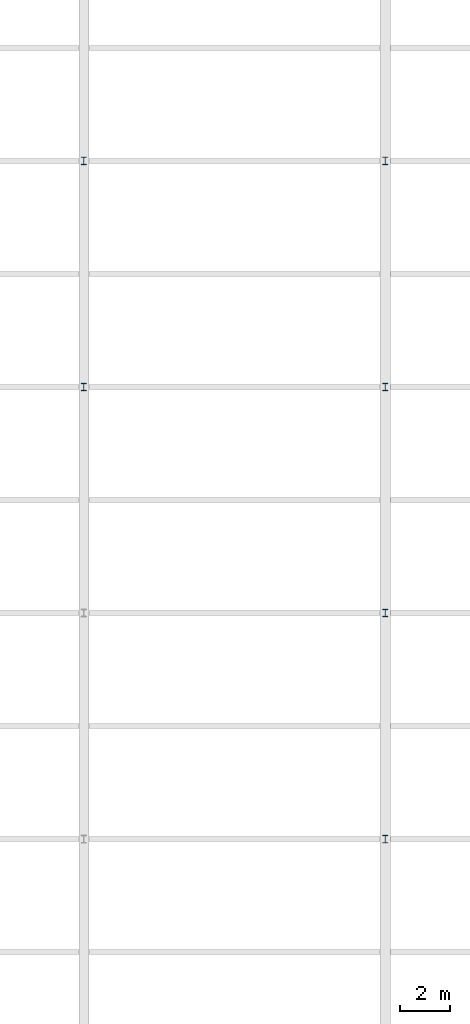
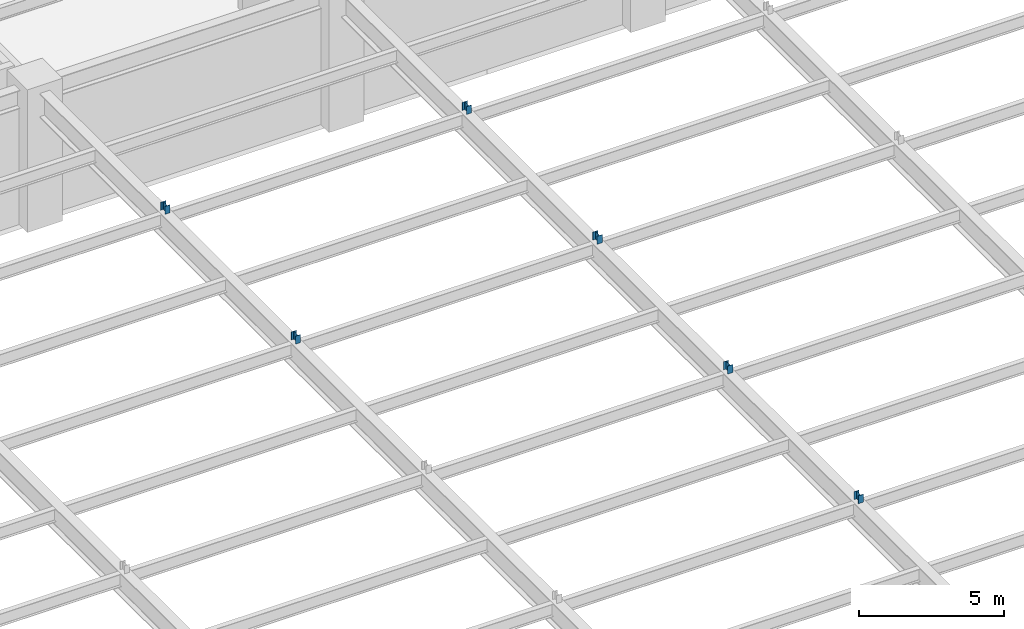
# One storey, part 73 of 105: 6 members.
"""IFC4 building model written with IfcOpenShell, lengths in metres."""

from ifc_helpers import new_model, si_unit, direction, frame, origin, origin_2d, place, context, subcontext, project, spatial, i_section, extrude, material, material_profile, profile_set, type_object, element, save


model = new_model("IFC4")

# Units and contexts
model_context = context("Model", 3, precision=1e-05, world=origin(), true_north=direction((0.0, 1.0)))
body_context = subcontext(model_context, "Body", "Model", "MODEL_VIEW")
ifc_project = project(units=[si_unit("LENGTHUNIT", "METRE"), si_unit("AREAUNIT", "SQUARE_METRE"), si_unit("VOLUMEUNIT", "CUBIC_METRE"), si_unit("PLANEANGLEUNIT", "RADIAN"), si_unit("MASSUNIT", "GRAM", prefix="KILO")], contexts=[model_context])

# Site, building, storey
site_placement = place(None, origin())
site = spatial("IfcSite", under=ifc_project, at=site_placement, CompositionType="ELEMENT")
building_placement = place(site_placement, origin())
building = spatial("IfcBuilding", under=site, at=building_placement, Name="Kaldorvane Square Convention Centre", CompositionType="ELEMENT")
storey_placement = place(building_placement, frame((0.0, 0.0, 6.0)))
storey = spatial("IfcBuildingStorey", under=building, at=storey_placement, Name="L01", CompositionType="ELEMENT", Elevation=6.0)

# Members
ifc_material = material(Name="Steel ASTM A992 Gr. 50", Category="steel")
ifc_material_profile = material_profile(ifc_material, i_section(OverallWidth=0.2032928466796875, OverallDepth=0.3032989501953125, WebThickness=0.00750732421875, FlangeThickness=0.0131072998046875, FilletRadius=0.01019287109375, at=origin_2d()), Name="W12X40")
ifc_profile_set = profile_set([ifc_material_profile], Name="Steel ASTM A992 Gr. 50")
member_type = type_object("IfcMemberType", Name="MB-HG-W12X40", PredefinedType="POST", material=ifc_profile_set)
for number, where, z_axis, x_axis, name in (
    (1, (42.0, 54.0, 5.675994873046875), (0.0, 0.0, 1.0), (1.0, 0.0, 0.0), "Exhibition Hall Ceiling Girder HG-02 Hanger 4"),
    (2, (42.0, 63.0, 5.675994873046875), (0.0, 0.0, 1.0), (1.0, 0.0, 0.0), "Exhibition Hall Ceiling Girder HG-02 Hanger 5"),
    (3, (54.0, 36.0, 5.675994873046875), (0.0, 0.0, 1.0), (1.0, 0.0, 0.0), "Exhibition Hall Ceiling Girder HG-03 Hanger 2"),
    (4, (54.0, 45.0, 5.675994873046875), (0.0, 0.0, 1.0), (1.0, 0.0, 0.0), "Exhibition Hall Ceiling Girder HG-03 Hanger 3"),
    (5, (54.0, 54.0, 5.675994873046875), (0.0, 0.0, 1.0), (1.0, 0.0, 0.0), "Exhibition Hall Ceiling Girder HG-03 Hanger 4"),
    (6, (54.0, 63.0, 5.675994873046875), (0.0, 0.0, 1.0), (1.0, 0.0, 0.0), "Exhibition Hall Ceiling Girder HG-03 Hanger 5"),
):
    element("IfcMember", number, at=place(storey_placement, frame(where, z_axis=z_axis, x_axis=x_axis)), inside=storey, type_object=member_type, Name=name, PredefinedType="POST", context=body_context, shape_type="SweptSolid", body=[
        extrude(i_section(OverallWidth=0.2032928466796875, OverallDepth=0.3032989501953125, WebThickness=0.00750732421875, FlangeThickness=0.0131072998046875, FilletRadius=0.01019287109375, at=origin_2d()), origin(), (0.0, 0.0, 1.0), 0.3332977294921875),
    ])

save(model, "model.ifc")
